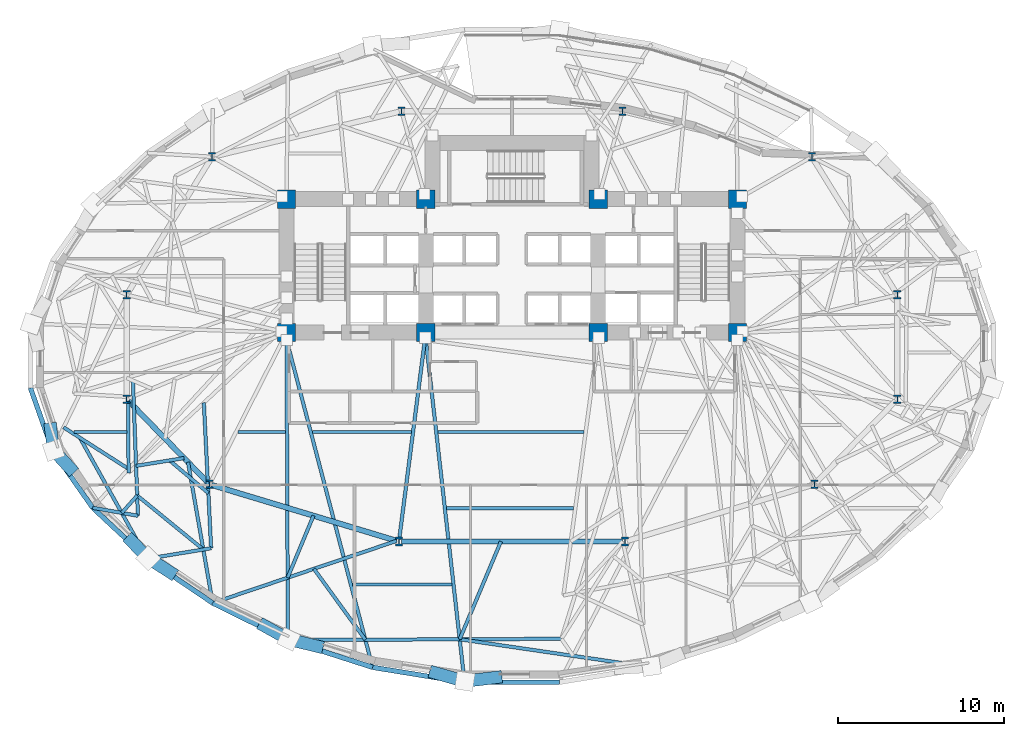
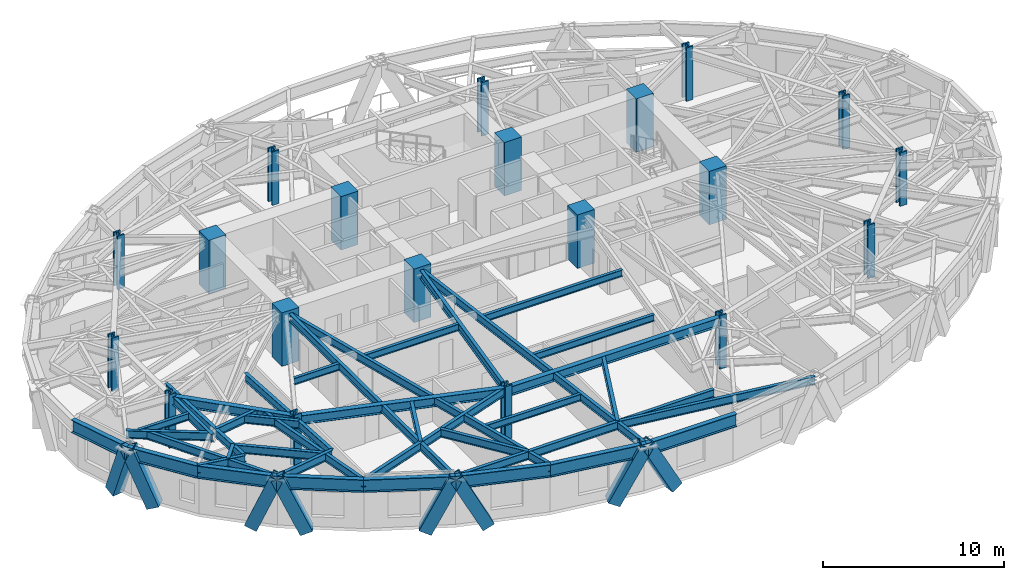
# One storey, part 1 of 15: 39 beams, 20 columns, 8 members.
"""IFC4 building model written with IfcOpenShell, lengths in metres."""

from ifc_helpers import new_model, si_unit, direction, frame, origin, origin_2d, place, context, subcontext, project, spatial, rectangle, hollow_rectangle, i_section, extrude, material, material_profile, profile_set, type_object, element, save


model = new_model("IFC4")

# Units and contexts
model_context = context("Model", 3, precision=1e-05, world=origin(), true_north=direction((0.0, 1.0)))
body_context = subcontext(model_context, "Body", "Model", "MODEL_VIEW")
ifc_project = project(units=[si_unit("LENGTHUNIT", "METRE"), si_unit("AREAUNIT", "SQUARE_METRE"), si_unit("VOLUMEUNIT", "CUBIC_METRE"), si_unit("PLANEANGLEUNIT", "RADIAN"), si_unit("MASSUNIT", "GRAM", prefix="KILO")], contexts=[model_context])

# Site, building, storey
site_placement = place(None, origin())
site = spatial("IfcSite", under=ifc_project, at=site_placement, CompositionType="ELEMENT")
building_placement = place(site_placement, origin())
building = spatial("IfcBuilding", under=site, at=building_placement, Name="Keldmark Tower", CompositionType="ELEMENT")
storey_placement = place(building_placement, frame((0.0, 0.0, 55.800048828125)))
storey = spatial("IfcBuildingStorey", under=building, at=storey_placement, Name="L14", CompositionType="ELEMENT", Elevation=55.800048828125)

# Columns
ifc_material_1 = material(Name="Concrete C70/85", Category="concrete")
ifc_material_profile_1 = material_profile(ifc_material_1, rectangle(XDim=1.10009765625, YDim=1.10009765625, at=origin_2d()), Name="RC1100X1100")
ifc_profile_set_1 = profile_set([ifc_material_profile_1], Name="Concrete C70/85")
column_type_1 = type_object("IfcColumnType", Name="Core Boundary Column RC1100", PredefinedType="COLUMN", material=ifc_profile_set_1)
for number, where, z_axis, x_axis, name in (
    (1, (-13.60009765625, 1.39990234375, 0.0), (0.0, 0.0, 1.0), (1.0, 0.0, 0.0), "L14 Core Boundary Column CC-W1"),
    (2, (-13.60009765625, 9.449951171875, 0.0), (0.0, 0.0, 1.0), (1.0, 0.0, 0.0), "L14 Core Boundary Column CC-W2"),
    (3, (-5.199951171875, 1.39990234375, 0.0), (0.0, 0.0, 1.0), (1.0, 0.0, 0.0), "L14 Core Boundary Column CC-W3"),
    (4, (-5.199951171875, 9.449951171875, 0.0), (0.0, 0.0, 1.0), (1.0, 0.0, 0.0), "L14 Core Boundary Column CC-W4"),
    (5, (5.199951171875, 1.39990234375, 0.0), (0.0, 0.0, 1.0), (1.0, 0.0, 0.0), "L14 Core Boundary Column CC-E1"),
    (6, (5.199951171875, 9.449951171875, 0.0), (0.0, 0.0, 1.0), (1.0, 0.0, 0.0), "L14 Core Boundary Column CC-E2"),
    (7, (13.60009765625, 1.39990234375, 0.0), (0.0, 0.0, 1.0), (1.0, 0.0, 0.0), "L14 Core Boundary Column CC-E3"),
    (8, (13.60009765625, 9.449951171875, 0.0), (0.0, 0.0, 1.0), (1.0, 0.0, 0.0), "L14 Core Boundary Column CC-E4"),
):
    element("IfcColumn", number, at=place(storey_placement, frame(where, z_axis=z_axis, x_axis=x_axis)), inside=storey, type_object=column_type_1, Name=name, PredefinedType="COLUMN", context=body_context, shape_type="SweptSolid", body=[
        extrude(rectangle(XDim=1.10009765625, YDim=1.10009765625, at=origin_2d()), origin(), (0.0, 0.0, 1.0), 3.599853515625),
    ])
ifc_material_2 = material(Name="Steel ASTM A992 Grade 50", Category="steel")
ifc_material_profile_2 = material_profile(ifc_material_2, i_section(OverallWidth=0.43701171875, OverallDepth=0.513916015625, WebThickness=0.060546875, FlangeThickness=0.096923828125, at=origin_2d()), Name="W14X550")
ifc_profile_set_2 = profile_set([ifc_material_profile_2], Name="Steel ASTM A992 Grade 50")
column_type_2 = type_object("IfcColumnType", Name="Tower Gravity Column W14X550", PredefinedType="COLUMN", material=ifc_profile_set_2)
for number, where, z_axis, x_axis, name in (
    (9, (23.25390625, 3.67724609375, 0.0), (0.0, 0.0, 1.0), (1.0, 0.0, 0.0), "L14 Tower Gravity Column TC-E1"),
    (10, (18.09765625, 12.00732421875, 0.0), (0.0, 0.0, 1.0), (1.0, 0.0, 0.0), "L14 Tower Gravity Column TC-E4"),
    (11, (6.6650390625, 14.760009765625, 0.0), (0.0, 0.0, 1.0), (1.0, 0.0, 0.0), "L14 Tower Gravity Column TC-N2"),
    (12, (-6.6650390625, 14.760009765625, 0.0), (0.0, 0.0, 1.0), (1.0, 0.0, 0.0), "L14 Tower Gravity Column TC-N1"),
    (13, (-18.09765625, 12.00732421875, 0.0), (0.0, 0.0, 1.0), (1.0, 0.0, 0.0), "L14 Tower Gravity Column TC-W4"),
    (14, (-23.25390625, 3.67724609375, 0.0), (0.0, 0.0, 1.0), (1.0, 0.0, 0.0), "L14 Tower Gravity Column TC-W1"),
    (15, (-23.25390625, -2.61328125, 0.0), (0.0, 0.0, 1.0), (1.0, 0.0, 0.0), "L14 Tower Gravity Column TC-W5"),
    (16, (-18.252685546875, -7.755615234375, 0.0), (0.0, 0.0, 1.0), (1.0, 0.0, 0.0), "L14 Tower Gravity Column TC-W2"),
    (17, (-6.822021484375, -11.205810546875, 0.0), (0.0, 0.0, 1.0), (1.0, 0.0, 0.0), "L14 Tower Gravity Column TC-W3"),
    (18, (6.822021484375, -11.205810546875, 0.0), (0.0, 0.0, 1.0), (1.0, 0.0, 0.0), "L14 Tower Gravity Column TC-E3"),
    (19, (18.252685546875, -7.755615234375, 0.0), (0.0, 0.0, 1.0), (1.0, 0.0, 0.0), "L14 Tower Gravity Column TC-E2"),
    (20, (23.25390625, -2.61328125, 0.0), (0.0, 0.0, 1.0), (1.0, 0.0, 0.0), "L14 Tower Gravity Column TC-E5"),
):
    element("IfcColumn", number, at=place(storey_placement, frame(where, z_axis=z_axis, x_axis=x_axis)), inside=storey, type_object=column_type_2, Name=name, PredefinedType="COLUMN", context=body_context, shape_type="SweptSolid", body=[
        extrude(i_section(OverallWidth=0.43701171875, OverallDepth=0.513916015625, WebThickness=0.060546875, FlangeThickness=0.096923828125, at=origin_2d()), origin(), (0.0, 0.0, 1.0), 3.599853515625),
    ])

# Beams
ifc_material_3 = material(Name="Steel ASTM A992 Grade 50", Category="steel")
ifc_material_profile_3 = material_profile(ifc_material_3, i_section(OverallWidth=0.19091796875, OverallDepth=0.45703125, WebThickness=0.009033203125, FlangeThickness=0.014404296875, at=origin_2d()), Name="W18X50")
ifc_profile_set_3 = profile_set([ifc_material_profile_3], Name="Steel ASTM A992 Grade 50")
beam_type_1 = type_object("IfcBeamType", Name="Composite Floor Joist W18X50", PredefinedType="JOIST", material=ifc_profile_set_3)
beam_1_placement = place(storey_placement, frame((-9.625, -13.800048828125, 3.17138671875), z_axis=(1.0, 0.0, 0.0), x_axis=(0.0, 1.0, 0.0)))
element("IfcBeam", 21, at=beam_1_placement, inside=storey, type_object=beam_type_1, Name="L14 Composite Floor Joist J01", PredefinedType="JOIST", context=body_context, shape_type="SweptSolid", body=[
    extrude(i_section(OverallWidth=0.19091796875, OverallDepth=0.45703125, WebThickness=0.009033203125, FlangeThickness=0.014404296875, at=origin_2d()), origin(), (0.0, 0.0, 1.0), 5.998291015625),
])
beam_2_placement = place(storey_placement, frame((-3.9541015625, -9.199951171875, 3.17138671875), z_axis=(1.0, 0.0, 0.0), x_axis=(0.0, 1.0, 0.0)))
element("IfcBeam", 22, at=beam_2_placement, inside=storey, type_object=beam_type_1, Name="L14 Composite Floor Joist J03", PredefinedType="JOIST", context=body_context, shape_type="SweptSolid", body=[
    extrude(i_section(OverallWidth=0.19091796875, OverallDepth=0.45703125, WebThickness=0.009033203125, FlangeThickness=0.014404296875, at=origin_2d()), origin(), (0.0, 0.0, 1.0), 7.677490234375),
])
beam_3_placement = place(storey_placement, frame((-26.43212890625, -4.60009765625, 3.17138671875), z_axis=(1.0, 0.0, 0.0), x_axis=(0.0, 1.0, 0.0)))
element("IfcBeam", 23, at=beam_3_placement, inside=storey, type_object=beam_type_1, Name="L14 Composite Floor Joist J05", PredefinedType="JOIST", context=body_context, shape_type="SweptSolid", body=[
    extrude(i_section(OverallWidth=0.19091796875, OverallDepth=0.45703125, WebThickness=0.009033203125, FlangeThickness=0.014404296875, at=origin_2d()), origin(), (0.0, 0.0, 1.0), 3.1875),
])
beam_4_placement = place(storey_placement, frame((-16.53857421875, -4.60009765625, 3.17138671875), z_axis=(1.0, 0.0, 0.0), x_axis=(0.0, 1.0, 0.0)))
element("IfcBeam", 24, at=beam_4_placement, inside=storey, type_object=beam_type_1, Name="L14 Composite Floor Joist J06", PredefinedType="JOIST", context=body_context, shape_type="SweptSolid", body=[
    extrude(i_section(OverallWidth=0.19091796875, OverallDepth=0.45703125, WebThickness=0.009033203125, FlangeThickness=0.014404296875, at=origin_2d()), origin(), (0.0, 0.0, 1.0), 2.865478515625),
])
beam_5_placement = place(storey_placement, frame((-12.04248046875, -4.60009765625, 3.17138671875), z_axis=(1.0, 0.0, 0.0), x_axis=(0.0, 1.0, 0.0)))
element("IfcBeam", 25, at=beam_5_placement, inside=storey, type_object=beam_type_1, Name="L14 Composite Floor Joist J07", PredefinedType="JOIST", context=body_context, shape_type="SweptSolid", body=[
    extrude(i_section(OverallWidth=0.19091796875, OverallDepth=0.45703125, WebThickness=0.009033203125, FlangeThickness=0.014404296875, at=origin_2d()), origin(), (0.0, 0.0, 1.0), 5.9716796875),
])
beam_6_placement = place(storey_placement, frame((-4.47509765625, -4.60009765625, 3.17138671875), z_axis=(1.0, 0.0, 0.0), x_axis=(0.0, 1.0, 0.0)))
element("IfcBeam", 26, at=beam_6_placement, inside=storey, type_object=beam_type_1, Name="L14 Composite Floor Joist J08", PredefinedType="JOIST", context=body_context, shape_type="SweptSolid", body=[
    extrude(i_section(OverallWidth=0.19091796875, OverallDepth=0.45703125, WebThickness=0.009033203125, FlangeThickness=0.014404296875, at=origin_2d()), origin(), (0.0, 0.0, 1.0), 8.82373046875),
])

# Members
ifc_material_4 = material(Name="Steel ASTM A572 Grade 50", Category="steel")
ifc_material_profile_4 = material_profile(ifc_material_4, hollow_rectangle(XDim=0.75, YDim=0.75, WallThickness=0.06494140625, at=origin_2d()), Name="BOX750X750X65")
ifc_profile_set_4 = profile_set([ifc_material_profile_4], Name="Steel ASTM A572 Grade 50")
member_type = type_object("IfcMemberType", Name="Diagrid Lower Brace BOX750X750X65", PredefinedType="BRACE", material=ifc_profile_set_4)
member_1_placement = place(storey_placement, frame((-27.8330078125, -4.400634765625, -0.280029296875), z_axis=(0.043392408565, -0.341731312557, 0.938795403108), x_axis=(0.992034470663, 0.125966698046, 0.0)))
element("IfcMember", 27, at=member_1_placement, inside=storey, type_object=member_type, Name="L14 Perimeter Diagrid Brace 09A", PredefinedType="BRACE", context=body_context, shape_type="SweptSolid", body=[
    extrude(hollow_rectangle(XDim=0.75, YDim=0.75, WallThickness=0.06494140625, at=origin_2d()), origin(), (0.0, 0.0, 1.0), 3.792236328125),
])
member_2_placement = place(storey_placement, frame((-26.656494140625, -6.791015625, -0.280029296875), z_axis=(-0.2625061582, 0.286266946713, 0.921488877918), x_axis=(-0.737032563486, -0.675857233713, 0.0)))
element("IfcMember", 28, at=member_2_placement, inside=storey, type_object=member_type, Name="L14 Perimeter Diagrid Brace 09B", PredefinedType="BRACE", context=body_context, shape_type="SweptSolid", body=[
    extrude(hollow_rectangle(XDim=0.75, YDim=0.75, WallThickness=0.06494140625, at=origin_2d()), origin(), (0.0, 0.0, 1.0), 3.86328125),
])
member_3_placement = place(storey_placement, frame((-22.982666015625, -11.1591796875, -0.280029296875), z_axis=(0.267102548607, -0.274198251985, 0.923835238089), x_axis=(0.716314429626, 0.697777642168, 0.0)))
element("IfcMember", 29, at=member_3_placement, inside=storey, type_object=member_type, Name="L14 Perimeter Diagrid Brace 10A", PredefinedType="BRACE", context=body_context, shape_type="SweptSolid", body=[
    extrude(hollow_rectangle(XDim=0.75, YDim=0.75, WallThickness=0.06494140625, at=origin_2d()), origin(), (0.0, 0.0, 1.0), 3.853515625),
])
member_4_placement = place(storey_placement, frame((-20.60546875, -13.07177734375, -0.280029296875), z_axis=(-0.346757352417, 0.221629699292, 0.911394324613), x_axis=(-0.538545053134, -0.842596715959, 0.0)))
element("IfcMember", 30, at=member_4_placement, inside=storey, type_object=member_type, Name="L14 Perimeter Diagrid Brace 10B", PredefinedType="BRACE", context=body_context, shape_type="SweptSolid", body=[
    extrude(hollow_rectangle(XDim=0.75, YDim=0.75, WallThickness=0.06494140625, at=origin_2d()), origin(), (0.0, 0.0, 1.0), 3.90625),
])
member_5_placement = place(storey_placement, frame((-14.942138671875, -16.29541015625, -0.280029296875), z_axis=(0.370214781485, -0.206813491419, 0.905631931491), x_axis=(0.487693337516, 0.873015010491, 0.0)))
element("IfcMember", 31, at=member_5_placement, inside=storey, type_object=member_type, Name="L14 Perimeter Diagrid Brace 11A", PredefinedType="BRACE", context=body_context, shape_type="SweptSolid", body=[
    extrude(hollow_rectangle(XDim=0.75, YDim=0.75, WallThickness=0.06494140625, at=origin_2d()), origin(), (0.0, 0.0, 1.0), 3.930908203125),
])
member_6_placement = place(storey_placement, frame((-11.72216796875, -17.535400390625, -0.280029296875), z_axis=(-0.443457115847, 0.108362663421, 0.889720922301), x_axis=(-0.237374614555, -0.971418186141, 0.0)))
element("IfcMember", 32, at=member_6_placement, inside=storey, type_object=member_type, Name="L14 Perimeter Diagrid Brace 11B", PredefinedType="BRACE", context=body_context, shape_type="SweptSolid", body=[
    extrude(hollow_rectangle(XDim=0.75, YDim=0.75, WallThickness=0.06494140625, at=origin_2d()), origin(), (0.0, 0.0, 1.0), 4.001220703125),
])
member_7_placement = place(storey_placement, frame((-4.646728515625, -19.129150390625, -0.280029296875), z_axis=(0.447965706139, -0.127678115107, 0.884887012588), x_axis=(0.274101643259, 0.961700727442, 0.0)))
element("IfcMember", 33, at=member_7_placement, inside=storey, type_object=member_type, Name="L14 Perimeter Diagrid Brace 12A", PredefinedType="BRACE", context=body_context, shape_type="SweptSolid", body=[
    extrude(hollow_rectangle(XDim=0.75, YDim=0.75, WallThickness=0.06494140625, at=origin_2d()), origin(), (0.0, 0.0, 1.0), 4.023193359375),
])
member_8_placement = place(storey_placement, frame((-0.936767578125, -19.4052734375, -0.280029296875), z_axis=(-0.473775123484, -0.058031727794, 0.87873172865), x_axis=(0.121579267567, -0.99258172545, 0.0)))
element("IfcMember", 34, at=member_8_placement, inside=storey, type_object=member_type, Name="L14 Perimeter Diagrid Brace 12B", PredefinedType="BRACE", context=body_context, shape_type="SweptSolid", body=[
    extrude(hollow_rectangle(XDim=0.75, YDim=0.75, WallThickness=0.06494140625, at=origin_2d()), origin(), (0.0, 0.0, 1.0), 4.05126953125),
])

# Beams
ifc_material_5 = material(Name="Steel ASTM A992 Grade 50", Category="steel")
ifc_material_profile_5 = material_profile(ifc_material_5, i_section(OverallWidth=0.323974609375, OverallDepth=0.611083984375, WebThickness=0.0126953125, FlangeThickness=0.01904296875, at=origin_2d()), Name="W24X104")
ifc_profile_set_5 = profile_set([ifc_material_profile_5], Name="Steel ASTM A992 Grade 50")
beam_type_2 = type_object("IfcBeamType", Name="Primary Floor Girder W24X104", PredefinedType="BEAM", material=ifc_profile_set_5)
beam_7_placement = place(storey_placement, frame((-23.156494140625, -2.713623046875, 3.094482421875), z_axis=(0.697210382268, -0.716866572563, 0.0), x_axis=(0.716866572563, 0.697210382268, 0.0)))
element("IfcBeam", 35, at=beam_7_placement, inside=storey, type_object=beam_type_2, Name="L14 Floor Ring Girder FG-R07", PredefinedType="BEAM", context=body_context, shape_type="SweptSolid", body=[
    extrude(i_section(OverallWidth=0.323974609375, OverallDepth=0.611083984375, WebThickness=0.0126953125, FlangeThickness=0.01904296875, at=origin_2d()), origin(), (0.0, 0.0, 1.0), 6.893310546875),
])
beam_8_placement = place(storey_placement, frame((-18.118896484375, -7.796142578125, 3.094482421875), z_axis=(0.957346071406, -0.2889437654, 0.0), x_axis=(0.2889437654, 0.957346071406, 0.0)))
element("IfcBeam", 36, at=beam_8_placement, inside=storey, type_object=beam_type_2, Name="L14 Floor Ring Girder FG-R08", PredefinedType="BEAM", context=body_context, shape_type="SweptSolid", body=[
    extrude(i_section(OverallWidth=0.323974609375, OverallDepth=0.611083984375, WebThickness=0.0126953125, FlangeThickness=0.01904296875, at=origin_2d()), origin(), (0.0, 0.0, 1.0), 11.66015625),
])
beam_9_placement = place(storey_placement, frame((-6.68212890625, -11.205810546875, 3.094482421875), z_axis=(1.0, 0.0, 0.0), x_axis=(0.0, 1.0, 0.0)))
element("IfcBeam", 37, at=beam_9_placement, inside=storey, type_object=beam_type_2, Name="L14 Floor Ring Girder FG-R09", PredefinedType="BEAM", context=body_context, shape_type="SweptSolid", body=[
    extrude(i_section(OverallWidth=0.323974609375, OverallDepth=0.611083984375, WebThickness=0.0126953125, FlangeThickness=0.01904296875, at=origin_2d()), origin(), (0.0, 0.0, 1.0), 13.3642578125),
])
ifc_material_6 = material(Name="Steel ASTM A992 Grade 50", Category="steel")
ifc_material_profile_6 = material_profile(ifc_material_6, i_section(OverallWidth=0.2099609375, OverallDepth=0.537109375, WebThickness=0.010986328125, FlangeThickness=0.017333984375, at=origin_2d()), Name="W21X68")
ifc_profile_set_6 = profile_set([ifc_material_profile_6], Name="Steel ASTM A992 Grade 50")
beam_type_3 = type_object("IfcBeamType", Name="Radial Tie Girder W21X68", PredefinedType="BEAM", material=ifc_profile_set_6)
beam_10_placement = place(storey_placement, frame((-23.156494140625, -2.713623046875, 3.13134765625), z_axis=(0.004153067787, -0.999991375977, 0.0), x_axis=(0.999991375977, 0.004153067787, 0.0)))
element("IfcBeam", 38, at=beam_10_placement, inside=storey, type_object=beam_type_3, Name="L14 Local Collector Chord RT-19C", PredefinedType="BEAM", context=body_context, shape_type="SweptSolid", body=[
    extrude(i_section(OverallWidth=0.2099609375, OverallDepth=0.537109375, WebThickness=0.010986328125, FlangeThickness=0.017333984375, at=origin_2d()), origin(), (0.0, 0.0, 1.0), 4.35009765625),
])
beam_11_placement = place(storey_placement, frame((-27.056884765625, -4.31640625, 3.13134765625), z_axis=(0.842091218582, -0.539335127344, 0.0), x_axis=(0.539335127344, 0.842091218582, 0.0)))
element("IfcBeam", 39, at=beam_11_placement, inside=storey, type_object=beam_type_3, Name="L14 Framing Pin Header PH-029", PredefinedType="BEAM", context=body_context, shape_type="SweptSolid", body=[
    extrude(i_section(OverallWidth=0.2099609375, OverallDepth=0.537109375, WebThickness=0.010986328125, FlangeThickness=0.017333984375, at=origin_2d()), origin(), (0.0, 0.0, 1.0), 4.652099609375),
])
beam_12_placement = place(storey_placement, frame((-19.792236328125, -6.172607421875, 3.13134765625), z_axis=(-0.987131442469, -0.159910960501, 0.0), x_axis=(0.159910960501, -0.987131442469, 0.0)))
element("IfcBeam", 40, at=beam_12_placement, inside=storey, type_object=beam_type_3, Name="L14 Framing Pin Header PH-030", PredefinedType="BEAM", context=body_context, shape_type="SweptSolid", body=[
    extrude(i_section(OverallWidth=0.2099609375, OverallDepth=0.537109375, WebThickness=0.010986328125, FlangeThickness=0.017333984375, at=origin_2d()), origin(), (0.0, 0.0, 1.0), 2.9296875),
])
beam_13_placement = place(storey_placement, frame((-22.87548828125, -1.495849609375, 3.13134765625), z_axis=(0.037112313744, -0.999311100793, 0.0), x_axis=(0.999311100793, 0.037112313744, 0.0)))
element("IfcBeam", 41, at=beam_13_placement, inside=storey, type_object=beam_type_3, Name="L14 Intermediate Radial Step Girder RT-20M", PredefinedType="BEAM", context=body_context, shape_type="SweptSolid", body=[
    extrude(i_section(OverallWidth=0.2099609375, OverallDepth=0.537109375, WebThickness=0.010986328125, FlangeThickness=0.017333984375, at=origin_2d()), origin(), (0.0, 0.0, 1.0), 8.163818359375),
])
beam_14_placement = place(storey_placement, frame((-25.303466796875, -9.16943359375, 3.13134765625), z_axis=(0.984617404739, -0.174724257859, 0.0), x_axis=(0.174724257859, 0.984617404739, 0.0)))
element("IfcBeam", 42, at=beam_14_placement, inside=storey, type_object=beam_type_3, Name="L14 Local Collector Chord RT-20C", PredefinedType="BEAM", context=body_context, shape_type="SweptSolid", body=[
    extrude(i_section(OverallWidth=0.2099609375, OverallDepth=0.537109375, WebThickness=0.010986328125, FlangeThickness=0.017333984375, at=origin_2d()), origin(), (0.0, 0.0, 1.0), 2.773681640625),
])
beam_15_placement = place(storey_placement, frame((-22.617919921875, -8.430419921875, 3.13134765625), z_axis=(-0.662525053443, -0.749039754326, 0.0), x_axis=(0.749039754326, -0.662525053443, 0.0)))
element("IfcBeam", 43, at=beam_15_placement, inside=storey, type_object=beam_type_3, Name="L14 Framing Pin Header PH-031", PredefinedType="BEAM", context=body_context, shape_type="SweptSolid", body=[
    extrude(i_section(OverallWidth=0.2099609375, OverallDepth=0.537109375, WebThickness=0.010986328125, FlangeThickness=0.017333984375, at=origin_2d()), origin(), (0.0, 0.0, 1.0), 1.402587890625),
])
beam_16_placement = place(storey_placement, frame((-26.07763671875, -4.943603515625, 3.13134765625), z_axis=(0.487053319689, -0.873372236667, 0.0), x_axis=(0.873372236667, 0.487053319689, 0.0)))
element("IfcBeam", 44, at=beam_16_placement, inside=storey, type_object=beam_type_3, Name="L14 Perimeter Radial Tie Girder RT-20", PredefinedType="BEAM", context=body_context, shape_type="SweptSolid", body=[
    extrude(i_section(OverallWidth=0.2099609375, OverallDepth=0.537109375, WebThickness=0.010986328125, FlangeThickness=0.017333984375, at=origin_2d()), origin(), (0.0, 0.0, 1.0), 8.359130859375),
])
beam_17_placement = place(storey_placement, frame((-20.659912109375, -6.313232421875, 3.13134765625), z_axis=(0.764051768018, -0.645154939366, 0.0), x_axis=(0.645154939366, 0.764051768018, 0.0)))
element("IfcBeam", 45, at=beam_17_placement, inside=storey, type_object=beam_type_3, Name="L14 Framing Pin Header PH-032", PredefinedType="BEAM", context=body_context, shape_type="SweptSolid", body=[
    extrude(i_section(OverallWidth=0.2099609375, OverallDepth=0.537109375, WebThickness=0.010986328125, FlangeThickness=0.017333984375, at=origin_2d()), origin(), (0.0, 0.0, 1.0), 3.0595703125),
])
beam_18_placement = place(storey_placement, frame((-18.59423828125, -2.831787109375, 3.13134765625), z_axis=(0.049790804813, -0.998759668667, 0.0), x_axis=(0.998759668667, 0.049790804813, 0.0)))
element("IfcBeam", 46, at=beam_18_placement, inside=storey, type_object=beam_type_3, Name="L14 Intermediate Radial Step Girder RT-21M", PredefinedType="BEAM", context=body_context, shape_type="SweptSolid", body=[
    extrude(i_section(OverallWidth=0.2099609375, OverallDepth=0.537109375, WebThickness=0.010986328125, FlangeThickness=0.017333984375, at=origin_2d()), origin(), (0.0, 0.0, 1.0), 8.791748046875),
])
beam_19_placement = place(storey_placement, frame((-22.00634765625, -12.244140625, 3.13134765625), z_axis=(0.986808496328, 0.161891913248, 0.0), x_axis=(-0.161891913248, 0.986808496328, 0.0)))
element("IfcBeam", 47, at=beam_19_placement, inside=storey, type_object=beam_type_3, Name="L14 Local Collector Chord RT-21C", PredefinedType="BEAM", context=body_context, shape_type="SweptSolid", body=[
    extrude(i_section(OverallWidth=0.2099609375, OverallDepth=0.537109375, WebThickness=0.010986328125, FlangeThickness=0.017333984375, at=origin_2d()), origin(), (0.0, 0.0, 1.0), 3.9013671875),
])
beam_20_placement = place(storey_placement, frame((-22.617919921875, -8.430419921875, 3.13134765625), z_axis=(0.774533288221, -0.632533149675, 0.0), x_axis=(0.632533149675, 0.774533288221, 0.0)))
element("IfcBeam", 48, at=beam_20_placement, inside=storey, type_object=beam_type_3, Name="L14 Framing Pin Header PH-033", PredefinedType="BEAM", context=body_context, shape_type="SweptSolid", body=[
    extrude(i_section(OverallWidth=0.2099609375, OverallDepth=0.537109375, WebThickness=0.010986328125, FlangeThickness=0.017333984375, at=origin_2d()), origin(), (0.0, 0.0, 1.0), 5.15283203125),
])
beam_21_placement = place(storey_placement, frame((-19.552001953125, -6.419921875, 3.13134765625), z_axis=(0.172889521892, -0.984941223231, 0.0), x_axis=(0.984941223231, 0.172889521892, 0.0)))
element("IfcBeam", 49, at=beam_21_placement, inside=storey, type_object=beam_type_3, Name="L14 Perimeter Radial Tie Girder RT-21", PredefinedType="BEAM", context=body_context, shape_type="SweptSolid", body=[
    extrude(i_section(OverallWidth=0.2099609375, OverallDepth=0.537109375, WebThickness=0.010986328125, FlangeThickness=0.017333984375, at=origin_2d()), origin(), (0.0, 0.0, 1.0), 8.62939453125),
])
beam_22_placement = place(storey_placement, frame((-18.06005859375, -14.91943359375, 3.13134765625), z_axis=(0.947322859328, 0.320280190139, 0.0), x_axis=(-0.320280190139, 0.947322859328, 0.0)))
element("IfcBeam", 50, at=beam_22_placement, inside=storey, type_object=beam_type_3, Name="L14 Straddling Support Chord RT-22RB", PredefinedType="BEAM", context=body_context, shape_type="SweptSolid", body=[
    extrude(i_section(OverallWidth=0.2099609375, OverallDepth=0.537109375, WebThickness=0.010986328125, FlangeThickness=0.017333984375, at=origin_2d()), origin(), (0.0, 0.0, 1.0), 11.721435546875),
])
beam_23_placement = place(storey_placement, frame((-11.979248046875, -9.649169921875, 3.13134765625), z_axis=(-0.385021475033, -0.922907613883, 0.0), x_axis=(0.922907613883, -0.385021475033, 0.0)))
element("IfcBeam", 51, at=beam_23_placement, inside=storey, type_object=beam_type_3, Name="L14 Framing Pin Header PH-049", PredefinedType="BEAM", context=body_context, shape_type="SweptSolid", body=[
    extrude(i_section(OverallWidth=0.2099609375, OverallDepth=0.537109375, WebThickness=0.010986328125, FlangeThickness=0.017333984375, at=origin_2d()), origin(), (0.0, 0.0, 1.0), 4.054931640625),
])
beam_24_placement = place(storey_placement, frame((-13.60009765625, 0.949951171875, 3.13134765625), z_axis=(0.004153314501, -0.999991374952, 0.0), x_axis=(0.999991374952, 0.004153314501, 0.0)))
element("IfcBeam", 52, at=beam_24_placement, inside=storey, type_object=beam_type_3, Name="L14 Perimeter Radial Tie Girder RT-22R", PredefinedType="BEAM", context=body_context, shape_type="SweptSolid", body=[
    extrude(i_section(OverallWidth=0.2099609375, OverallDepth=0.537109375, WebThickness=0.010986328125, FlangeThickness=0.017333984375, at=origin_2d()), origin(), (0.0, 0.0, 1.0), 18.10498046875),
])
beam_25_placement = place(storey_placement, frame((-13.52490234375, -17.15478515625, 3.13134765625), z_axis=(0.999989149901, 0.004658334549, 0.0), x_axis=(-0.004658334549, 0.999989149901, 0.0)))
element("IfcBeam", 53, at=beam_25_placement, inside=storey, type_object=beam_type_3, Name="L14 Straddling Support Chord RT-23RB", PredefinedType="BEAM", context=body_context, shape_type="SweptSolid", body=[
    extrude(i_section(OverallWidth=0.2099609375, OverallDepth=0.537109375, WebThickness=0.010986328125, FlangeThickness=0.017333984375, at=origin_2d()), origin(), (0.0, 0.0, 1.0), 16.509033203125),
])
beam_26_placement = place(storey_placement, frame((-11.952880859375, -12.854736328125, 3.13134765625), z_axis=(0.587243042338, -0.809410655493, 0.0), x_axis=(0.809410655493, 0.587243042338, 0.0)))
element("IfcBeam", 54, at=beam_26_placement, inside=storey, type_object=beam_type_3, Name="L14 Framing Pin Header PH-050", PredefinedType="BEAM", context=body_context, shape_type="SweptSolid", body=[
    extrude(i_section(OverallWidth=0.2099609375, OverallDepth=0.537109375, WebThickness=0.010986328125, FlangeThickness=0.017333984375, at=origin_2d()), origin(), (0.0, 0.0, 1.0), 5.28564453125),
])
beam_27_placement = place(storey_placement, frame((-13.60009765625, 0.949951171875, 3.13134765625), z_axis=(0.254126032991, -0.967171111726, 0.0), x_axis=(0.967171111726, 0.254126032991, 0.0)))
element("IfcBeam", 55, at=beam_27_placement, inside=storey, type_object=beam_type_3, Name="L14 Perimeter Radial Tie Girder RT-23R", PredefinedType="BEAM", context=body_context, shape_type="SweptSolid", body=[
    extrude(i_section(OverallWidth=0.2099609375, OverallDepth=0.537109375, WebThickness=0.010986328125, FlangeThickness=0.017333984375, at=origin_2d()), origin(), (0.0, 0.0, 1.0), 20.4189453125),
])
beam_28_placement = place(storey_placement, frame((-0.668212890625, -11.205810546875, 3.13134765625), z_axis=(-0.388464325688, -0.921463763622, 0.0), x_axis=(0.921463763622, -0.388464325688, 0.0)))
element("IfcBeam", 56, at=beam_28_placement, inside=storey, type_object=beam_type_3, Name="L14 Framing Pin Header PH-051", PredefinedType="BEAM", context=body_context, shape_type="SweptSolid", body=[
    extrude(i_section(OverallWidth=0.2099609375, OverallDepth=0.537109375, WebThickness=0.010986328125, FlangeThickness=0.017333984375, at=origin_2d()), origin(), (0.0, 0.0, 1.0), 6.403564453125),
])
beam_29_placement = place(storey_placement, frame((-5.199951171875, 0.949951171875, 3.13134765625), z_axis=(0.112495580754, -0.993652225032, 0.0), x_axis=(0.993652225032, 0.112495580754, 0.0)))
element("IfcBeam", 57, at=beam_29_placement, inside=storey, type_object=beam_type_3, Name="L14 Perimeter Radial Tie Girder RT-24R", PredefinedType="BEAM", context=body_context, shape_type="SweptSolid", body=[
    extrude(i_section(OverallWidth=0.2099609375, OverallDepth=0.537109375, WebThickness=0.010986328125, FlangeThickness=0.017333984375, at=origin_2d()), origin(), (0.0, 0.0, 1.0), 20.781982421875),
])
beam_30_placement = place(storey_placement, frame((-3.15576171875, -17.1064453125, 3.13134765625), z_axis=(0.989468142047, -0.144750806124, 0.0), x_axis=(0.144750806124, 0.989468142047, 0.0)))
element("IfcBeam", 58, at=beam_30_placement, inside=storey, type_object=beam_type_3, Name="L14 Straddling Support Chord RT-25RB", PredefinedType="BEAM", context=body_context, shape_type="SweptSolid", body=[
    extrude(i_section(OverallWidth=0.2099609375, OverallDepth=0.537109375, WebThickness=0.010986328125, FlangeThickness=0.017333984375, at=origin_2d()), origin(), (0.0, 0.0, 1.0), 11.68994140625),
])
ifc_material_7 = material(Name="Steel ASTM A992 Grade 50", Category="steel")
ifc_material_profile_7 = material_profile(ifc_material_7, i_section(OverallWidth=0.214111328125, OverallDepth=0.549072265625, WebThickness=0.0146484375, FlangeThickness=0.023681640625, at=origin_2d()), Name="W21X93")
ifc_profile_set_7 = profile_set([ifc_material_profile_7], Name="Steel ASTM A992 Grade 50")
beam_type_4 = type_object("IfcBeamType", Name="Radial Tie Girder W21X93", PredefinedType="BEAM", material=ifc_profile_set_7)
beam_31_placement = place(storey_placement, frame((-6.80419921875, -11.06689453125, 3.12548828125), z_axis=(0.127634898593, 0.99182122011, 0.0), x_axis=(-0.99182122011, 0.127634898593, 0.0)))
element("IfcBeam", 59, at=beam_31_placement, inside=storey, type_object=beam_type_4, Name="L14 Floor Radial Girder FG-C09", PredefinedType="BEAM", context=body_context, shape_type="SweptSolid", body=[
    extrude(i_section(OverallWidth=0.214111328125, OverallDepth=0.549072265625, WebThickness=0.0146484375, FlangeThickness=0.023681640625, at=origin_2d()), origin(), (0.0, 0.0, 1.0), 12.24951171875),
])
ifc_material_8 = material(Name="Steel ASTM A992 Grade 50", Category="steel")
ifc_material_profile_8 = material_profile(ifc_material_8, i_section(OverallWidth=0.2919921875, OverallDepth=0.85888671875, WebThickness=0.01708984375, FlangeThickness=0.031005859375, at=origin_2d()), Name="W33X169")
ifc_profile_set_8 = profile_set([ifc_material_profile_8], Name="Steel ASTM A992 Grade 50")
beam_type_5 = type_object("IfcBeamType", Name="Spandrel Ring Beam W33X169", PredefinedType="SPANDREL", material=ifc_profile_set_8)
beam_32_placement = place(storey_placement, frame((-29.05810546875, -1.940185546875, 2.970458984375), z_axis=(0.333319315882, -0.942813997382, 0.0), x_axis=(0.942813997382, 0.333319315882, 0.0)))
element("IfcBeam", 60, at=beam_32_placement, inside=storey, type_object=beam_type_5, Name="L14 Perimeter Spandrel Ring Beam SRB-17", PredefinedType="SPANDREL", context=body_context, shape_type="SweptSolid", body=[
    extrude(i_section(OverallWidth=0.2919921875, OverallDepth=0.85888671875, WebThickness=0.01708984375, FlangeThickness=0.031005859375, at=origin_2d()), origin(), (0.0, 0.0, 1.0), 3.990478515625),
])
beam_33_placement = place(storey_placement, frame((-27.72802734375, -5.702392578125, 2.970458984375), z_axis=(0.573086608679, -0.819494807154, 0.0), x_axis=(0.819494807154, 0.573086608679, 0.0)))
element("IfcBeam", 61, at=beam_33_placement, inside=storey, type_object=beam_type_5, Name="L14 Perimeter Spandrel Ring Beam SRB-18", PredefinedType="SPANDREL", context=body_context, shape_type="SweptSolid", body=[
    extrude(i_section(OverallWidth=0.2919921875, OverallDepth=0.85888671875, WebThickness=0.01708984375, FlangeThickness=0.031005859375, at=origin_2d()), origin(), (0.0, 0.0, 1.0), 4.230712890625),
])
beam_34_placement = place(storey_placement, frame((-25.303466796875, -9.16943359375, 2.970458984375), z_axis=(0.731343335822, -0.682009475849, 0.0), x_axis=(0.682009475849, 0.731343335822, 0.0)))
element("IfcBeam", 62, at=beam_34_placement, inside=storey, type_object=beam_type_5, Name="L14 Perimeter Spandrel Ring Beam SRB-19", PredefinedType="SPANDREL", context=body_context, shape_type="SweptSolid", body=[
    extrude(i_section(OverallWidth=0.2919921875, OverallDepth=0.85888671875, WebThickness=0.01708984375, FlangeThickness=0.031005859375, at=origin_2d()), origin(), (0.0, 0.0, 1.0), 4.50830078125),
])
beam_35_placement = place(storey_placement, frame((-22.00634765625, -12.244140625, 2.970458984375), z_axis=(0.827723816917, -0.561135708103, 0.0), x_axis=(0.561135708103, 0.827723816917, 0.0)))
element("IfcBeam", 63, at=beam_35_placement, inside=storey, type_object=beam_type_5, Name="L14 Perimeter Spandrel Ring Beam SRB-20", PredefinedType="SPANDREL", context=body_context, shape_type="SweptSolid", body=[
    extrude(i_section(OverallWidth=0.2919921875, OverallDepth=0.85888671875, WebThickness=0.01708984375, FlangeThickness=0.031005859375, at=origin_2d()), origin(), (0.0, 0.0, 1.0), 4.767578125),
])
beam_36_placement = place(storey_placement, frame((-18.06005859375, -14.91943359375, 2.970458984375), z_axis=(0.896962161347, -0.442107318545, 0.0), x_axis=(0.442107318545, 0.896962161347, 0.0)))
element("IfcBeam", 64, at=beam_36_placement, inside=storey, type_object=beam_type_5, Name="L14 Perimeter Spandrel Ring Beam SRB-21", PredefinedType="SPANDREL", context=body_context, shape_type="SweptSolid", body=[
    extrude(i_section(OverallWidth=0.2919921875, OverallDepth=0.85888671875, WebThickness=0.01708984375, FlangeThickness=0.031005859375, at=origin_2d()), origin(), (0.0, 0.0, 1.0), 5.05615234375),
])
beam_37_placement = place(storey_placement, frame((-13.52490234375, -17.15478515625, 2.970458984375), z_axis=(0.95202383213, -0.30602389295, 0.0), x_axis=(0.30602389295, 0.95202383213, 0.0)))
element("IfcBeam", 65, at=beam_37_placement, inside=storey, type_object=beam_type_5, Name="L14 Perimeter Spandrel Ring Beam SRB-22", PredefinedType="SPANDREL", context=body_context, shape_type="SweptSolid", body=[
    extrude(i_section(OverallWidth=0.2919921875, OverallDepth=0.85888671875, WebThickness=0.01708984375, FlangeThickness=0.031005859375, at=origin_2d()), origin(), (0.0, 0.0, 1.0), 5.37158203125),
])
beam_38_placement = place(storey_placement, frame((-8.4111328125, -18.798583984375, 2.970458984375), z_axis=(0.987055914284, -0.16037650101, 0.0), x_axis=(0.16037650101, 0.987055914284, 0.0)))
element("IfcBeam", 66, at=beam_38_placement, inside=storey, type_object=beam_type_5, Name="L14 Perimeter Spandrel Ring Beam SRB-23", PredefinedType="SPANDREL", context=body_context, shape_type="SweptSolid", body=[
    extrude(i_section(OverallWidth=0.2919921875, OverallDepth=0.85888671875, WebThickness=0.01708984375, FlangeThickness=0.031005859375, at=origin_2d()), origin(), (0.0, 0.0, 1.0), 5.621826171875),
])
beam_39_placement = place(storey_placement, frame((-2.862060546875, -19.7001953125, 2.970458984375), z_axis=(1.0, 0.0, 0.0), x_axis=(0.0, 1.0, 0.0)))
element("IfcBeam", 67, at=beam_39_placement, inside=storey, type_object=beam_type_5, Name="L14 Perimeter Spandrel Ring Beam SRB-24", PredefinedType="SPANDREL", context=body_context, shape_type="SweptSolid", body=[
    extrude(i_section(OverallWidth=0.2919921875, OverallDepth=0.85888671875, WebThickness=0.01708984375, FlangeThickness=0.031005859375, at=origin_2d()), origin(), (0.0, 0.0, 1.0), 5.72412109375),
])

save(model, "model.ifc")
